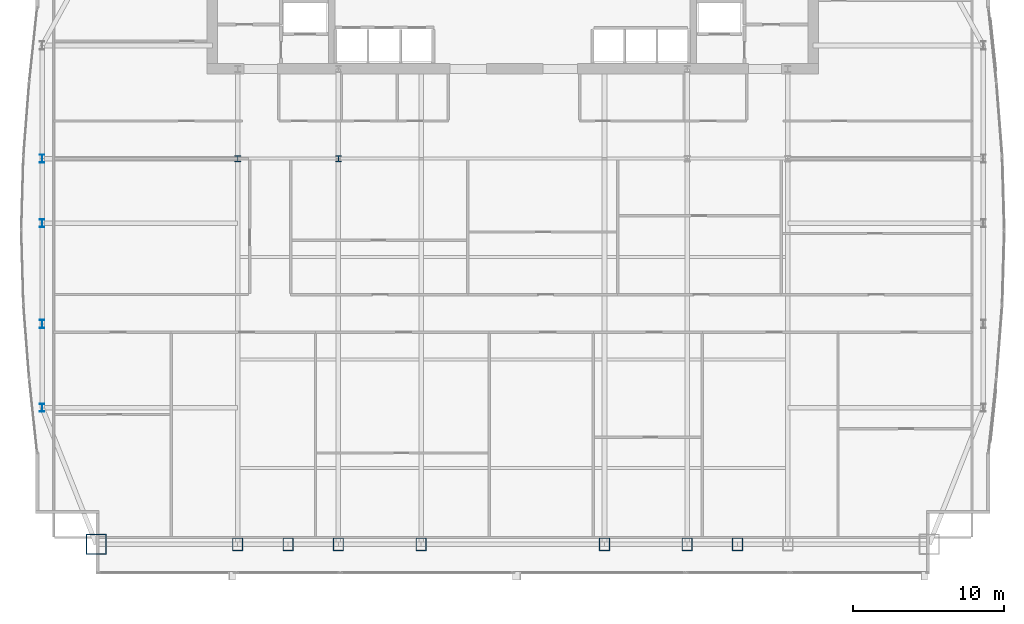
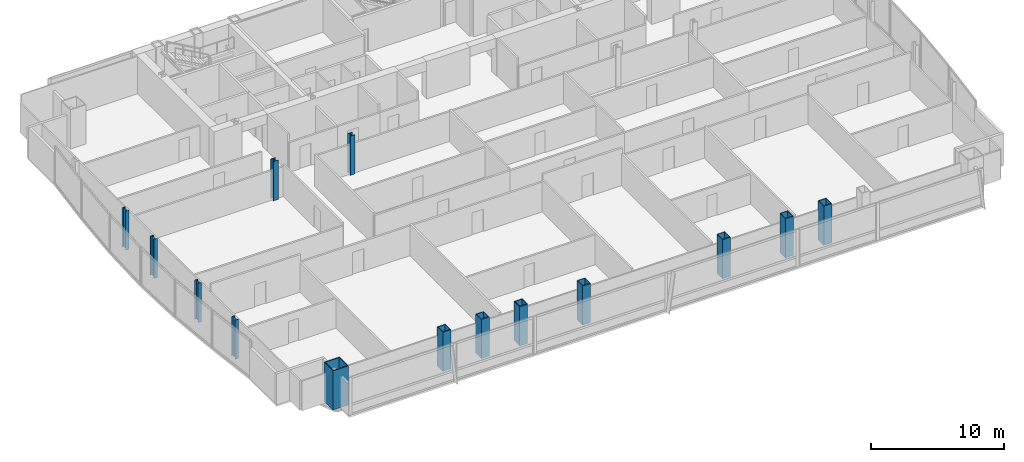
# One storey, part 1 of 29: 14 columns.
"""IFC4 building model written with IfcOpenShell, lengths in metres."""

from ifc_helpers import new_model, si_unit, direction, frame, origin, origin_2d, place, context, subcontext, project, spatial, hollow_rectangle, i_section, extrude, material, material_profile, profile_set, type_object, element, save


model = new_model("IFC4")

# Units and contexts
model_context = context("Model", 3, precision=1e-05, world=origin(), true_north=direction((0.0, 1.0)))
body_context = subcontext(model_context, "Body", "Model", "MODEL_VIEW")
ifc_project = project(units=[si_unit("LENGTHUNIT", "METRE"), si_unit("AREAUNIT", "SQUARE_METRE"), si_unit("VOLUMEUNIT", "CUBIC_METRE"), si_unit("PLANEANGLEUNIT", "RADIAN"), si_unit("MASSUNIT", "GRAM", prefix="KILO")], contexts=[model_context])

# Site, building, storey
site_placement = place(None, origin())
site = spatial("IfcSite", under=ifc_project, at=site_placement, CompositionType="ELEMENT")
building_placement = place(site_placement, origin())
building = spatial("IfcBuilding", under=site, at=building_placement, Name="Khoronbel Lancet Exchange", CompositionType="ELEMENT")
storey_placement = place(building_placement, frame((0.0, 0.0, 139.800048828125)))
storey = spatial("IfcBuildingStorey", under=building, at=storey_placement, Name="L34", CompositionType="ELEMENT", Elevation=139.800048828125)

# Columns
ifc_material_1 = material(Name="Steel S460", Category="steel")
ifc_material_profile_1 = material_profile(ifc_material_1, hollow_rectangle(XDim=0.699951171875, YDim=0.85009765625, WallThickness=0.050048828125, at=origin_2d()), Name="BOX 850x700x50")
ifc_profile_set_1 = profile_set([ifc_material_profile_1], Name="Steel S460")
column_type_1 = type_object("IfcColumnType", Name="COL-EC2", PredefinedType="COLUMN", material=ifc_profile_set_1)
for number, where, z_axis, x_axis, name in (
    (1, (18.22509765625, 10.14990234375, 0.0), (0.0, 0.0, 1.0), (1.0, 0.0, 0.0), "Structural column SC-W1 L34"),
    (2, (21.5625, 10.14990234375, 0.0), (0.0, 0.0, 1.0), (1.0, 0.0, 0.0), "Structural column SC-WM L34"),
    (3, (24.89990234375, 10.14990234375, 0.0), (0.0, 0.0, 1.0), (1.0, 0.0, 0.0), "Structural column SC-W2 L34"),
    (4, (30.375, 10.14990234375, 0.0), (0.0, 0.0, 1.0), (1.0, 0.0, 0.0), "Structural column SC-C1 L34"),
    (5, (42.52490234375, 10.14990234375, 0.0), (0.0, 0.0, 1.0), (1.0, 0.0, 0.0), "Structural column SC-C2 L34"),
    (6, (48.0, 10.14990234375, 0.0), (0.0, 0.0, 1.0), (1.0, 0.0, 0.0), "Structural column SC-E1 L34"),
    (7, (51.33740234375, 10.14990234375, 0.0), (0.0, 0.0, 1.0), (1.0, 0.0, 0.0), "Structural column SC-EM L34"),
):
    element("IfcColumn", number, at=place(storey_placement, frame(where, z_axis=z_axis, x_axis=x_axis)), inside=storey, type_object=column_type_1, Name=name, PredefinedType="COLUMN", context=body_context, shape_type="SweptSolid", body=[
        extrude(hollow_rectangle(XDim=0.699951171875, YDim=0.85009765625, WallThickness=0.050048828125, at=origin_2d()), origin(), (0.0, 0.0, 1.0), 3.599853515625),
    ])
ifc_material_profile_2 = material_profile(ifc_material_1, i_section(OverallWidth=0.416015625, OverallDepth=0.446044921875, WebThickness=0.0390625, FlangeThickness=0.062744140625, at=origin_2d()), Name="HD 400x509")
ifc_profile_set_2 = profile_set([ifc_material_profile_2], Name="Steel S460")
column_type_2 = type_object("IfcColumnType", Name="COL-IC2", PredefinedType="COLUMN", material=ifc_profile_set_2)
for number, where, z_axis, x_axis, name in (
    (8, (18.22509765625, 35.699951171875, 0.0), (0.0, 0.0, 1.0), (1.0, 0.0, 0.0), "Spine gravity column TC1 L34"),
    (9, (24.89990234375, 35.699951171875, 0.0), (0.0, 0.0, 1.0), (1.0, 0.0, 0.0), "Spine gravity column TC2 L34"),
):
    element("IfcColumn", number, at=place(storey_placement, frame(where, z_axis=z_axis, x_axis=x_axis)), inside=storey, type_object=column_type_2, Name=name, PredefinedType="COLUMN", context=body_context, shape_type="SweptSolid", body=[
        extrude(i_section(OverallWidth=0.416015625, OverallDepth=0.446044921875, WebThickness=0.0390625, FlangeThickness=0.062744140625, at=origin_2d()), origin(), (0.0, 0.0, 1.0), 3.599853515625),
    ])
ifc_material_2 = material(Name="Steel S355", Category="steel")
ifc_material_profile_3 = material_profile(ifc_material_2, i_section(OverallWidth=0.300048828125, OverallDepth=0.550048828125, WebThickness=0.014892578125, FlangeThickness=0.029052734375, at=origin_2d()), Name="HEB 550")
ifc_profile_set_3 = profile_set([ifc_material_profile_3], Name="Steel S355")
column_type_3 = type_object("IfcColumnType", Name="COL-LC1", PredefinedType="COLUMN", material=ifc_profile_set_3)
for number, where, z_axis, x_axis, name in (
    (10, (5.27001953125, 19.199951171875, 0.0), (0.0, 0.0, 1.0), (1.0, 0.0, 0.0), "Structural column WC-1 L34"),
    (11, (5.27001953125, 24.75, 0.0), (0.0, 0.0, 1.0), (1.0, 0.0, 0.0), "Structural column WC-2 L34"),
    (12, (5.27001953125, 31.425048828125, 0.0), (0.0, 0.0, 1.0), (1.0, 0.0, 0.0), "Structural column WC-M L34"),
    (13, (5.27001953125, 35.699951171875, 0.0), (0.0, 0.0, 1.0), (1.0, 0.0, 0.0), "Structural column WC-3 L34"),
):
    element("IfcColumn", number, at=place(storey_placement, frame(where, z_axis=z_axis, x_axis=x_axis)), inside=storey, type_object=column_type_3, Name=name, PredefinedType="COLUMN", context=body_context, shape_type="SweptSolid", body=[
        extrude(i_section(OverallWidth=0.300048828125, OverallDepth=0.550048828125, WebThickness=0.014892578125, FlangeThickness=0.029052734375, at=origin_2d()), origin(), (0.0, 0.0, 1.0), 3.599853515625),
    ])
ifc_material_profile_4 = material_profile(ifc_material_1, hollow_rectangle(XDim=1.35009765625, YDim=1.35009765625, WallThickness=0.06494140625, at=origin_2d()), Name="BOX 1350x1350x65")
ifc_profile_set_4 = profile_set([ifc_material_profile_4], Name="Steel S460")
column_type_4 = type_object("IfcColumnType", Name="COL-MC4", PredefinedType="COLUMN", material=ifc_profile_set_4)
column_placement = place(storey_placement, frame((8.85009765625, 10.14990234375, 0.0), z_axis=(0.0, 0.0, 1.0), x_axis=(1.0, 0.0, 0.0)))
element("IfcColumn", 14, at=column_placement, inside=storey, type_object=column_type_4, Name="Structural column MC-SW L34", PredefinedType="COLUMN", context=body_context, shape_type="SweptSolid", body=[
    extrude(hollow_rectangle(XDim=1.35009765625, YDim=1.35009765625, WallThickness=0.06494140625, at=origin_2d()), origin(), (0.0, 0.0, 1.0), 3.599853515625),
])

save(model, "model.ifc")
